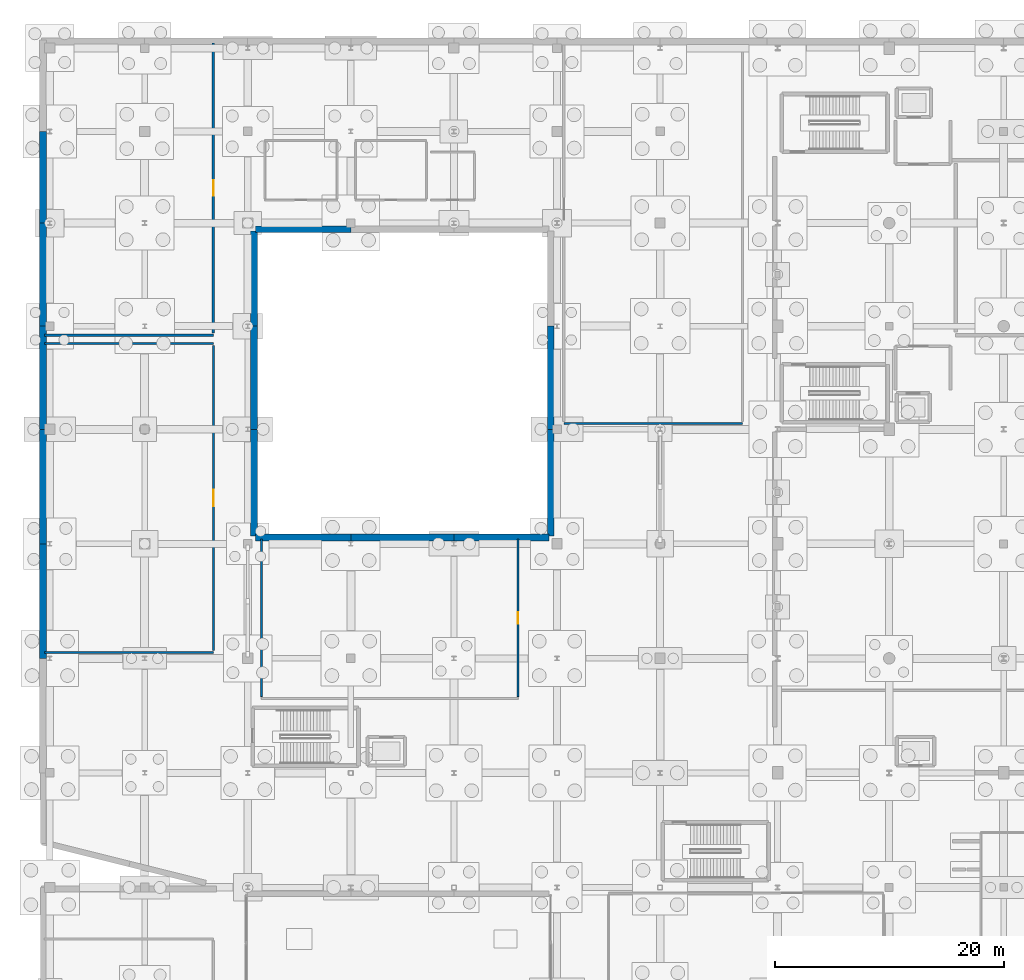
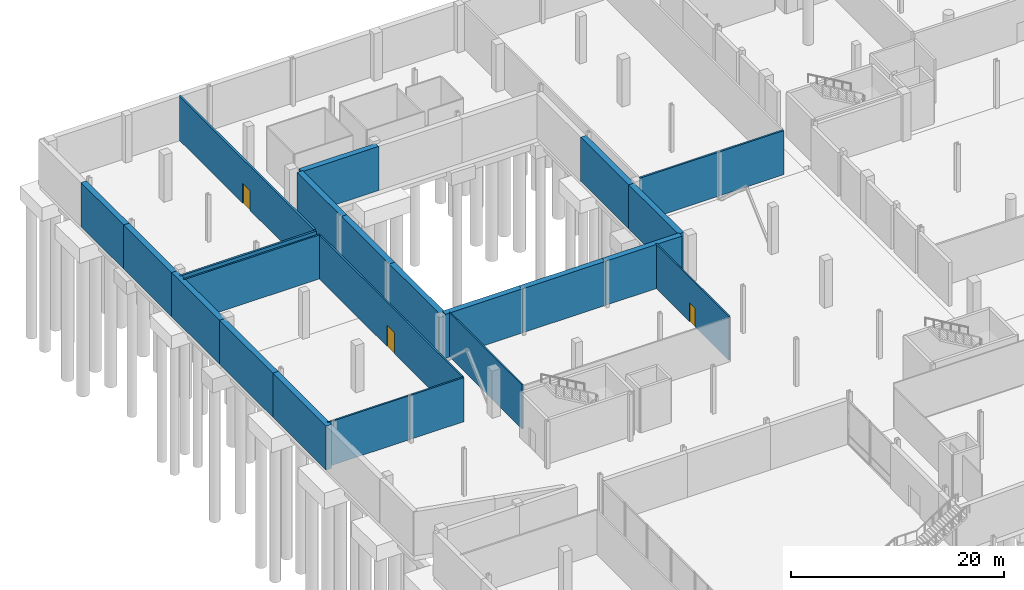
# One storey, part 45 of 60: 22 walls, 3 doors, 3 openings.
"""IFC4 building model written with IfcOpenShell, lengths in metres."""

import ifcopenshell
import ifcopenshell.guid

model = None  # the IFC model being written
_history = None  # IfcOwnerHistory: only IFC2X3 demands one
_inside = {}  # id of a spatial element -> (the spatial element, [elements in it])
_under = {}  # id of a project, library or spatial element -> (it, [spatial elements below it])
_declared = {}  # id of a project -> (the project, [libraries it declares])
_typed = {}  # id of a type object -> (the type object, [elements of that type])
_made_of = {}  # id of a material, layer set ... -> (it, [elements and type objects made of it])


def new_model(schema):
    """Start an empty IFC model of exactly this schema.

    Asked for "IFC4X3", IfcOpenShell would pick the latest addendum, in which some entities
    have other attributes; the version numbers below select the first issue.
    IFC2X3 requires an IfcOwnerHistory on every rooted entity: one is made here for all.
    """
    global model, _history
    if schema == "IFC4X3":
        model = ifcopenshell.file(schema_version=(4, 3, 0, 0))
    else:
        model = ifcopenshell.file(schema=schema)
    _inside.clear()
    _under.clear()
    _declared.clear()
    _typed.clear()
    _made_of.clear()
    _history = None
    if model.schema == "IFC2X3":
        org = make("IfcOrganization", Name="unknown")
        user = make(
            "IfcPersonAndOrganization",
            ThePerson=make("IfcPerson", FamilyName="unknown"),
            TheOrganization=org,
        )
        app = make(
            "IfcApplication",
            ApplicationDeveloper=org,
            Version="unknown",
            ApplicationFullName="unknown",
            ApplicationIdentifier="unknown",
        )
        _history = make(
            "IfcOwnerHistory",
            OwningUser=user,
            OwningApplication=app,
            ChangeAction="ADDED",
            CreationDate=0,
        )
    return model


def make(cls, **values):
    """One entity of the class cls with the attributes given. An attribute that is None is left unset."""
    return model.create_entity(
        cls, **{name: value for name, value in values.items() if value is not None}
    )


def rooted(cls, **values):
    """An entity with a GlobalId (a new one), such as an element, a storey or a relation."""
    return make(cls, GlobalId=ifcopenshell.guid.new(), OwnerHistory=_history, **values)


def si_unit(unit_type, name, prefix=None):
    """IfcSIUnit, for example si_unit("LENGTHUNIT", "METRE", prefix="MILLI")."""
    return make("IfcSIUnit", UnitType=unit_type, Prefix=prefix, Name=name)


def assignment(units):
    """IfcUnitAssignment: the units of a project."""
    return None if units is None else make("IfcUnitAssignment", Units=units)


def point(xyz):
    """IfcCartesianPoint."""
    return None if xyz is None else make("IfcCartesianPoint", Coordinates=xyz)


def direction(xyz):
    """IfcDirection."""
    return None if xyz is None else make("IfcDirection", DirectionRatios=xyz)


def frame(location, z_axis=None, x_axis=None):
    """IfcAxis2Placement3D, a coordinate frame: its origin and axes. An axis left out is left unset."""
    return make(
        "IfcAxis2Placement3D",
        Location=point(location),
        Axis=direction(z_axis),
        RefDirection=direction(x_axis),
    )


def frame_2d(location, x_axis=None):
    """IfcAxis2Placement2D, a coordinate frame in the plane: its origin and x axis."""
    return make(
        "IfcAxis2Placement2D", Location=point(location), RefDirection=direction(x_axis)
    )


def origin():
    """The frame at (0, 0, 0) with its axes left unset."""
    return frame((0.0, 0.0, 0.0))


def place(relative_to, where):
    """IfcLocalPlacement: puts the frame where relative to a parent placement (None: the world)."""
    return make(
        "IfcLocalPlacement", PlacementRelTo=relative_to, RelativePlacement=where
    )


def context(
    kind, dimensions, precision=None, world=None, true_north=None, identifier=None
):
    """IfcGeometricRepresentationContext, for example the 3D "Model" context."""
    return make(
        "IfcGeometricRepresentationContext",
        ContextIdentifier=identifier,
        ContextType=kind,
        CoordinateSpaceDimension=dimensions,
        Precision=precision,
        WorldCoordinateSystem=world,
        TrueNorth=true_north,
    )


def subcontext(parent, identifier, kind, view, scale=None):
    """IfcGeometricRepresentationSubContext, for example "Body" below "Model"."""
    return make(
        "IfcGeometricRepresentationSubContext",
        ContextIdentifier=identifier,
        ContextType=kind,
        ParentContext=parent,
        TargetScale=scale,
        TargetView=view,
    )


def project(units=None, contexts=None):
    """IfcProject with its units and contexts."""
    return rooted(
        "IfcProject",
        Name="project",
        RepresentationContexts=contexts,
        UnitsInContext=assignment(units),
    )


def spatial(cls, under=None, at=None, **own):
    """A site, building, storey or space (cls), placed at a placement, below another one or the project."""
    s = rooted(cls, ObjectPlacement=at, **own)
    if under is not None:
        _under.setdefault(under.id(), (under, []))[1].append(s)
    return s


def profile(cls, at=None, kind="AREA", **sizes):
    """A parametric profile (cls). Its sizes go by their IFC names, for example OverallWidth=200.0."""
    return make(cls, ProfileType=kind, Position=at, **sizes)


def rectangle(**sizes):
    """IfcRectangleProfileDef."""
    return profile("IfcRectangleProfileDef", **sizes)


def extrude(swept, where, along, depth):
    """IfcExtrudedAreaSolid: the profile swept, set in the frame where, extruded along a direction by depth."""
    return make(
        "IfcExtrudedAreaSolid",
        SweptArea=swept,
        Position=where,
        ExtrudedDirection=direction(along),
        Depth=depth,
    )


def shape(context_of_items, identifier, shape_type, items):
    """IfcShapeRepresentation: the items that make up one representation, for example the "Body"."""
    return make(
        "IfcShapeRepresentation",
        ContextOfItems=context_of_items,
        RepresentationIdentifier=identifier,
        RepresentationType=shape_type,
        Items=items,
    )


def material(Name=None, Category=None):
    """IfcMaterial."""
    return make("IfcMaterial", Name=Name, Category=Category)


def layer(
    of_material, thickness, ventilated=None, Name=None, Category=None, Priority=None
):
    """IfcMaterialLayer: one layer of a wall or slab, of a material (None: an air gap)."""
    return make(
        "IfcMaterialLayer",
        Material=of_material,
        LayerThickness=thickness,
        IsVentilated=ventilated,
        Name=Name,
        Category=Category,
        Priority=Priority,
    )


def layer_set(layers, Name=None):
    """IfcMaterialLayerSet."""
    return make("IfcMaterialLayerSet", MaterialLayers=layers, LayerSetName=Name)


def made_of(thing, what):
    """Note that an element or type object is made of a material, layer set ...; save() writes the relation."""
    if what is not None:
        _made_of.setdefault(what.id(), (what, []))[1].append(thing)
    return thing


def type_object(cls, material=None, **own):
    """A type object (cls), such as IfcWallType, which elements share."""
    return made_of(rooted(cls, **own), material)


def element(
    cls,
    number,
    at=None,
    inside=None,
    cuts=None,
    type_object=None,
    material=None,
    context=None,
    identifier="Body",
    shape_type=None,
    held_by="IfcProductDefinitionShape",
    body=None,
    shapes=None,
    **own,
):
    """One element of the class cls, such as IfcWall. Its Tag is "e" and its number.

    at: its placement. inside: the storey or other place that contains it. cuts: it is an
    opening in that element (IfcRelVoidsElement). A single representation is given by context,
    identifier, shape_type and body (its items); several are given by shapes. held_by: the class
    of the entity that holds the representations. save() writes the other relations.
    """
    e = rooted(cls, Tag="e%d" % number, ObjectPlacement=at, **own)
    if body is not None:
        shapes = [shape(context, identifier, shape_type, body)]
    if shapes is not None:
        e.Representation = make(held_by, Representations=shapes)
    if inside is not None:
        _inside.setdefault(inside.id(), (inside, []))[1].append(e)
    if cuts is not None:
        rooted(
            "IfcRelVoidsElement", RelatingBuildingElement=cuts, RelatedOpeningElement=e
        )
    if type_object is not None:
        _typed.setdefault(type_object.id(), (type_object, []))[1].append(e)
    return made_of(e, material)


def fill(opening, filler):
    """IfcRelFillsElement: the door or window that sits in an opening."""
    return rooted(
        "IfcRelFillsElement",
        RelatingOpeningElement=opening,
        RelatedBuildingElement=filler,
    )


def aggregate(whole, parts):
    """IfcRelAggregates: a whole, such as a stair, and the parts it consists of."""
    return rooted("IfcRelAggregates", RelatingObject=whole, RelatedObjects=parts)


def save(model, path):
    """Write the relations noted so far, then the file.

    IfcRelAggregates (storeys below a building ...), IfcRelContainedInSpatialStructure (elements
    in a storey), IfcRelDefinesByType, IfcRelAssociatesMaterial and IfcRelDeclares: one each for
    every whole, place, type object, material and project.
    """
    for whole, parts in _under.values():
        aggregate(whole, parts)
    for where, things in _inside.values():
        rooted(
            "IfcRelContainedInSpatialStructure",
            RelatedElements=things,
            RelatingStructure=where,
        )
    for kind, things in _typed.values():
        rooted("IfcRelDefinesByType", RelatedObjects=things, RelatingType=kind)
    for what, things in _made_of.values():
        rooted("IfcRelAssociatesMaterial", RelatedObjects=things, RelatingMaterial=what)
    for by, libraries in _declared.values():
        rooted("IfcRelDeclares", RelatingContext=by, RelatedDefinitions=libraries)
    model.write(path)


model = new_model("IFC4")

# Units and contexts
model_context = context("Model", 3, precision=1e-05, world=origin(), true_north=direction((0.0, 1.0)))
body_context = subcontext(model_context, "Body", "Model", "MODEL_VIEW")
ifc_project = project(units=[si_unit("LENGTHUNIT", "METRE"), si_unit("AREAUNIT", "SQUARE_METRE"), si_unit("VOLUMEUNIT", "CUBIC_METRE"), si_unit("PLANEANGLEUNIT", "RADIAN"), si_unit("MASSUNIT", "GRAM", prefix="KILO")], contexts=[model_context])

# Site, building, storey
site_placement = place(None, origin())
site = spatial("IfcSite", under=ifc_project, at=site_placement, CompositionType="ELEMENT")
building_placement = place(site_placement, origin())
building = spatial("IfcBuilding", under=site, at=building_placement, Name="Trimount Lyric Opera House", CompositionType="ELEMENT")
storey_placement = place(building_placement, frame((0.0, 0.0, -5.39990234375)))
storey = spatial("IfcBuildingStorey", under=building, at=storey_placement, Name="B1", CompositionType="ELEMENT", Elevation=-5.39990234375)

# Wall
ifc_material_1 = material(Name="Fire-Rated Gypsum Board Partition")
ifc_layer_1 = layer(ifc_material_1, 0.14990234375)
ifc_layer_set_1 = layer_set([ifc_layer_1], Name="WL-PT150")
wall_type_1 = type_object("IfcWallType", Name="WL-PT150", PredefinedType="PARTITIONING", material=ifc_layer_set_1)
wall_1_placement = place(storey_placement, frame((19.199951171875, 74.39990234375, 0.0), z_axis=(0.0, 0.0, 1.0), x_axis=(0.0, -1.0, 0.0)))
element("IfcWall", 1, at=wall_1_placement, inside=storey, type_object=wall_type_1, Name="B1 Musician Instrument Library W partition", PredefinedType="PARTITIONING", context=body_context, shape_type="SweptSolid", body=[
    extrude(rectangle(XDim=13.75, YDim=0.14990234375, at=frame_2d((6.875, 0.0))), origin(), (0.0, 0.0, 1.0), 5.0498046875),
])

# Wall, opening, door
wall_2_placement = place(storey_placement, frame((41.60009765625, 60.64990234375, 0.0), z_axis=(0.0, 0.0, 1.0), x_axis=(0.0, 1.0, 0.0)))
wall_2 = element("IfcWall", 2, at=wall_2_placement, inside=storey, type_object=wall_type_1, Name="B1 Musician Instrument Library E partition", PredefinedType="PARTITIONING", context=body_context, shape_type="SweptSolid", body=[
    extrude(rectangle(XDim=13.75, YDim=0.14990234375, at=frame_2d((6.875, 0.0))), origin(), (0.0, 0.0, 1.0), 5.0498046875),
])
opening_1_placement = place(wall_2_placement, frame((6.375, 0.0, 0.0)))
opening_1 = element("IfcOpeningElement", 3, at=opening_1_placement, cuts=wall_2, Name="Opening DT-RM1", PredefinedType="OPENING", context=body_context, shape_type="SweptSolid", body=[
    extrude(rectangle(XDim=1.0, YDim=2.14990234375, at=frame_2d((0.5, 1.074951171875))), frame((0.0, 0.0849609375, 0.0), z_axis=(0.0, -1.0, 0.0), x_axis=(1.0, 0.0, 0.0)), (0.0, 0.0, 1.0), 0.169921875),
])
ifc_material_2 = material(Name="Solid Core White Oak")
door_type_1 = type_object("IfcDoorType", Name="DT-RM1", OperationType="NOTDEFINED", PredefinedType="DOOR", material=ifc_material_2)
door_1_placement = place(opening_1_placement, origin())
door_1 = element("IfcDoor", 4, at=door_1_placement, inside=storey, type_object=door_type_1, Name="D-168", OperationType="SINGLE_SWING_RIGHT", OverallHeight=2.14990234375, OverallWidth=1.0, PredefinedType="DOOR", context=body_context, shape_type="SweptSolid", body=[
    extrude(rectangle(XDim=1.0, YDim=2.14990234375, at=frame_2d((0.5, 1.074951171875))), frame((0.0, 0.02490234375, 0.0), z_axis=(0.0, -1.0, 0.0), x_axis=(1.0, 0.0, 0.0)), (0.0, 0.0, 1.0), 0.050048828125),
])
fill(opening_1, door_1)

# Walls
ifc_material_3 = material(Name="Acoustic Double-Stud Gypsum Board")
ifc_layer_2 = layer(ifc_material_3, 0.179931640625)
ifc_layer_set_2 = layer_set([ifc_layer_2], Name="WL-PT180")
wall_type_2 = type_object("IfcWallType", Name="WL-PT180", PredefinedType="PARTITIONING", material=ifc_layer_set_2)
for number, where, z_axis, x_axis, name in (
    (5, (0.25, 64.5, 0.0), (0.0, 0.0, 1.0), (1.0, 0.0, 0.0), "B1 Percussion & Timpani Studio S partition"),
    (6, (15.0, 91.5, 0.0), (0.0, 0.0, 1.0), (-1.0, 0.0, 0.0), "B1 Percussion & Timpani Studio N partition"),
):
    element("IfcWall", number, at=place(storey_placement, frame(where, z_axis=z_axis, x_axis=x_axis)), inside=storey, type_object=wall_type_2, Name=name, PredefinedType="PARTITIONING", context=body_context, shape_type="SweptSolid", body=[
        extrude(rectangle(XDim=14.75, YDim=0.179931640625, at=frame_2d((7.375, 0.0))), origin(), (0.0, 0.0, 1.0), 5.0498046875),
    ])

# Wall, opening, door
wall_3_placement = place(storey_placement, frame((15.0, 64.679931640625, 0.0), z_axis=(0.0, 0.0, 1.0), x_axis=(0.0, 1.0, 0.0)))
wall_3 = element("IfcWall", 7, at=wall_3_placement, inside=storey, type_object=wall_type_2, Name="B1 Percussion & Timpani Studio E partition", PredefinedType="PARTITIONING", context=body_context, shape_type="SweptSolid", body=[
    extrude(rectangle(XDim=26.64013671875, YDim=0.179931640625, at=frame_2d((13.320068359375, 0.0))), origin(), (0.0, 0.0, 1.0), 5.0498046875),
])
opening_2_placement = place(wall_3_placement, frame((12.594970703125, 0.0, 0.0)))
opening_2 = element("IfcOpeningElement", 8, at=opening_2_placement, cuts=wall_3, Name="Opening DT-AC3", PredefinedType="OPENING", context=body_context, shape_type="SweptSolid", body=[
    extrude(rectangle(XDim=1.449951171875, YDim=2.39990234375, at=frame_2d((0.72509765625, 1.199951171875))), frame((0.0, 0.10009765625, 0.0), z_axis=(0.0, -1.0, 0.0), x_axis=(1.0, 0.0, 0.0)), (0.0, 0.0, 1.0), 0.199951171875),
])
ifc_material_4 = material(Name="Acoustic Steel-Core Timber", Category="steel")
door_type_2 = type_object("IfcDoorType", Name="DT-AC3", OperationType="DOUBLE_DOOR_SINGLE_SWING", PredefinedType="DOOR", material=ifc_material_4)
door_2_placement = place(opening_2_placement, origin())
door_2 = element("IfcDoor", 9, at=door_2_placement, inside=storey, type_object=door_type_2, Name="D-165", OperationType="DOUBLE_DOOR_SINGLE_SWING", OverallHeight=2.39990234375, OverallWidth=1.449951171875, PredefinedType="DOOR", context=body_context, shape_type="SweptSolid", body=[
    extrude(rectangle(XDim=1.449951171875, YDim=2.39990234375, at=frame_2d((0.72509765625, 1.199951171875))), frame((0.0, 0.02490234375, 0.0), z_axis=(0.0, -1.0, 0.0), x_axis=(1.0, 0.0, 0.0)), (0.0, 0.0, 1.0), 0.050048828125),
])
fill(opening_2, door_2)

# Walls
ifc_material_5 = material(Name="Concrete C40/50", Category="concrete")
ifc_layer_3 = layer(ifc_material_5, 0.60009765625)
ifc_layer_set_3 = layer_set([ifc_layer_3], Name="WL-RET600")
wall_type_3 = type_object("IfcWallType", Name="WL-RET600", PredefinedType="USERDEFINED", material=ifc_layer_set_3)
for number, where, z_axis, x_axis, name in (
    (10, (0.139892578125, 64.0, 0.0), (0.0, 0.0, 1.0), (0.0, 1.0, 0.0), "B1 exterior retaining wall 003"),
    (11, (0.139892578125, 74.0, 0.0), (0.0, 0.0, 1.0), (0.0, 1.0, 0.0), "B1 exterior retaining wall 004"),
):
    element("IfcWall", number, at=place(storey_placement, frame(where, z_axis=z_axis, x_axis=x_axis)), inside=storey, type_object=wall_type_3, Name=name, ObjectType="RETAININGWALL", PredefinedType="USERDEFINED", context=body_context, shape_type="SweptSolid", body=[
        extrude(rectangle(XDim=10.0, YDim=0.60009765625, at=frame_2d((5.0, 0.0))), origin(), (0.0, 0.0, 1.0), 5.0498046875),
    ])
for number, where, z_axis, x_axis, name in (
    (12, (0.139892578125, 84.0, 0.0), (0.0, 0.0, 1.0), (0.0, 1.0, 0.0), "B1 exterior retaining wall 005"),
    (13, (0.139892578125, 93.0, 0.0), (0.0, 0.0, 1.0), (0.0, 1.0, 0.0), "B1 exterior retaining wall 006"),
):
    element("IfcWall", number, at=place(storey_placement, frame(where, z_axis=z_axis, x_axis=x_axis)), inside=storey, type_object=wall_type_3, Name=name, ObjectType="RETAININGWALL", PredefinedType="USERDEFINED", context=body_context, shape_type="SweptSolid", body=[
        extrude(rectangle(XDim=9.0, YDim=0.60009765625, at=frame_2d((4.5, 0.0))), origin(), (0.0, 0.0, 1.0), 5.0498046875),
    ])
wall_4_placement = place(storey_placement, frame((0.139892578125, 102.0, 0.0), z_axis=(0.0, 0.0, 1.0), x_axis=(0.0, 1.0, 0.0)))
element("IfcWall", 14, at=wall_4_placement, inside=storey, type_object=wall_type_3, Name="B1 exterior retaining wall 007", ObjectType="RETAININGWALL", PredefinedType="USERDEFINED", context=body_context, shape_type="SweptSolid", body=[
    extrude(rectangle(XDim=8.0, YDim=0.60009765625, at=frame_2d((4.0, 0.0))), origin(), (0.0, 0.0, 1.0), 5.0498046875),
])
wall_5_placement = place(storey_placement, frame((18.679931640625, 74.5400390625, 0.0), z_axis=(0.0, 0.0, 1.0), x_axis=(1.0, 0.0, 0.0)))
element("IfcWall", 15, at=wall_5_placement, inside=storey, type_object=wall_type_3, Name="B1 exterior retaining wall 070", ObjectType="RETAININGWALL", PredefinedType="USERDEFINED", context=body_context, shape_type="SweptSolid", body=[
    extrude(rectangle(XDim=8.320068359375, YDim=0.60009765625, at=frame_2d((4.16015625, 0.0))), origin(), (0.0, 0.0, 1.0), 5.0498046875),
])
wall_6_placement = place(storey_placement, frame((27.0, 74.5400390625, 0.0), z_axis=(0.0, 0.0, 1.0), x_axis=(1.0, 0.0, 0.0)))
element("IfcWall", 16, at=wall_6_placement, inside=storey, type_object=wall_type_3, Name="B1 exterior retaining wall 071", ObjectType="RETAININGWALL", PredefinedType="USERDEFINED", context=body_context, shape_type="SweptSolid", body=[
    extrude(rectangle(XDim=9.0, YDim=0.60009765625, at=frame_2d((4.5, 0.0))), origin(), (0.0, 0.0, 1.0), 5.0498046875),
])
wall_7_placement = place(storey_placement, frame((36.0, 74.5400390625, 0.0), z_axis=(0.0, 0.0, 1.0), x_axis=(1.0, 0.0, 0.0)))
element("IfcWall", 17, at=wall_7_placement, inside=storey, type_object=wall_type_3, Name="B1 exterior retaining wall 072", ObjectType="RETAININGWALL", PredefinedType="USERDEFINED", context=body_context, shape_type="SweptSolid", body=[
    extrude(rectangle(XDim=8.320068359375, YDim=0.60009765625, at=frame_2d((4.16015625, 0.0))), origin(), (0.0, 0.0, 1.0), 5.0498046875),
])
wall_8_placement = place(storey_placement, frame((44.4599609375, 74.679931640625, 0.0), z_axis=(0.0, 0.0, 1.0), x_axis=(0.0, 1.0, 0.0)))
element("IfcWall", 18, at=wall_8_placement, inside=storey, type_object=wall_type_3, Name="B1 exterior retaining wall 073", ObjectType="RETAININGWALL", PredefinedType="USERDEFINED", context=body_context, shape_type="SweptSolid", body=[
    extrude(rectangle(XDim=9.320068359375, YDim=0.60009765625, at=frame_2d((4.66015625, 0.0))), origin(), (0.0, 0.0, 1.0), 5.0498046875),
])
wall_9_placement = place(storey_placement, frame((44.4599609375, 84.0, 0.0), z_axis=(0.0, 0.0, 1.0), x_axis=(0.0, 1.0, 0.0)))
element("IfcWall", 19, at=wall_9_placement, inside=storey, type_object=wall_type_3, Name="B1 exterior retaining wall 074", ObjectType="RETAININGWALL", PredefinedType="USERDEFINED", context=body_context, shape_type="SweptSolid", body=[
    extrude(rectangle(XDim=9.0, YDim=0.60009765625, at=frame_2d((4.5, 0.0))), origin(), (0.0, 0.0, 1.0), 5.0498046875),
])
for number, where, z_axis, x_axis, name in (
    (20, (27.0, 101.4599609375, 0.0), (0.0, 0.0, 1.0), (-1.0, 0.0, 0.0), "B1 exterior retaining wall 078"),
    (21, (18.5400390625, 101.320068359375, 0.0), (0.0, 0.0, 1.0), (0.0, -1.0, 0.0), "B1 exterior retaining wall 079"),
):
    element("IfcWall", number, at=place(storey_placement, frame(where, z_axis=z_axis, x_axis=x_axis)), inside=storey, type_object=wall_type_3, Name=name, ObjectType="RETAININGWALL", PredefinedType="USERDEFINED", context=body_context, shape_type="SweptSolid", body=[
        extrude(rectangle(XDim=8.320068359375, YDim=0.60009765625, at=frame_2d((4.16015625, 0.0))), origin(), (0.0, 0.0, 1.0), 5.0498046875),
    ])
wall_10_placement = place(storey_placement, frame((18.5400390625, 93.0, 0.0), z_axis=(0.0, 0.0, 1.0), x_axis=(0.0, -1.0, 0.0)))
element("IfcWall", 22, at=wall_10_placement, inside=storey, type_object=wall_type_3, Name="B1 exterior retaining wall 080", ObjectType="RETAININGWALL", PredefinedType="USERDEFINED", context=body_context, shape_type="SweptSolid", body=[
    extrude(rectangle(XDim=9.0, YDim=0.60009765625, at=frame_2d((4.5, 0.0))), origin(), (0.0, 0.0, 1.0), 5.0498046875),
])
wall_11_placement = place(storey_placement, frame((18.5400390625, 84.0, 0.0), z_axis=(0.0, 0.0, 1.0), x_axis=(0.0, -1.0, 0.0)))
element("IfcWall", 23, at=wall_11_placement, inside=storey, type_object=wall_type_3, Name="B1 exterior retaining wall 081", ObjectType="RETAININGWALL", PredefinedType="USERDEFINED", context=body_context, shape_type="SweptSolid", body=[
    extrude(rectangle(XDim=9.320068359375, YDim=0.60009765625, at=frame_2d((4.66015625, 0.0))), origin(), (0.0, 0.0, 1.0), 5.0498046875),
])
ifc_material_6 = material(Name="Concrete C35/45", Category="concrete")
ifc_layer_4 = layer(ifc_material_6, 0.199951171875)
ifc_layer_set_4 = layer_set([ifc_layer_4], Name="WL-SW200")
wall_type_4 = type_object("IfcWallType", Name="WL-SW200", PredefinedType="SOLIDWALL", material=ifc_layer_set_4)
wall_12_placement = place(storey_placement, frame((45.60009765625, 84.5, 0.0), z_axis=(0.0, 0.0, 1.0), x_axis=(1.0, 0.0, 0.0)))
element("IfcWall", 24, at=wall_12_placement, inside=storey, type_object=wall_type_4, Name="B1 Primary Electrical Substation S partition", PredefinedType="SOLIDWALL", context=body_context, shape_type="SweptSolid", body=[
    extrude(rectangle(XDim=15.599853515625, YDim=0.199951171875, at=frame_2d((7.7998046875, 0.0))), origin(), (0.0, 0.0, 1.0), 5.0498046875),
])
ifc_material_7 = material(Name="Concrete C35/45", Category="concrete")
ifc_layer_5 = layer(ifc_material_7, 0.219970703125)
ifc_layer_set_5 = layer_set([ifc_layer_5], Name="WL-SW220")
wall_type_5 = type_object("IfcWallType", Name="WL-SW220", PredefinedType="SOLIDWALL", material=ifc_layer_set_5)
wall_13_placement = place(storey_placement, frame((0.25, 92.199951171875, 0.0), z_axis=(0.0, 0.0, 1.0), x_axis=(1.0, 0.0, 0.0)))
element("IfcWall", 25, at=wall_13_placement, inside=storey, type_object=wall_type_5, Name="B1 Acoustic Chiller Plant S partition", PredefinedType="SOLIDWALL", context=body_context, shape_type="SweptSolid", body=[
    extrude(rectangle(XDim=14.75, YDim=0.219970703125, at=frame_2d((7.375, 0.0))), origin(), (0.0, 0.0, 1.0), 5.0498046875),
])

# Wall, opening, door
wall_14_placement = place(storey_placement, frame((15.0, 92.419921875, 0.0), z_axis=(0.0, 0.0, 1.0), x_axis=(0.0, 1.0, 0.0)))
wall_14 = element("IfcWall", 26, at=wall_14_placement, inside=storey, type_object=wall_type_5, Name="B1 Acoustic Chiller Plant E partition", PredefinedType="SOLIDWALL", context=body_context, shape_type="SweptSolid", body=[
    extrude(rectangle(XDim=25.300048828125, YDim=0.219970703125, at=frame_2d((12.64990234375, 0.0))), origin(), (0.0, 0.0, 1.0), 5.0498046875),
])
opening_3_placement = place(wall_14_placement, frame((11.97509765625, 0.0, 0.0)))
opening_3 = element("IfcOpeningElement", 27, at=opening_3_placement, cuts=wall_14, Name="Opening DT-PL3", PredefinedType="OPENING", context=body_context, shape_type="SweptSolid", body=[
    extrude(rectangle(XDim=1.35009765625, YDim=2.25, at=frame_2d((0.675048828125, 1.125))), frame((0.0, 0.1201171875, 0.0), z_axis=(0.0, -1.0, 0.0), x_axis=(1.0, 0.0, 0.0)), (0.0, 0.0, 1.0), 0.239990234375),
])
ifc_material_8 = material(Name="Fire-Rated Painted Steel", Category="steel")
door_type_3 = type_object("IfcDoorType", Name="DT-PL3", OperationType="DOUBLE_DOOR_SINGLE_SWING", PredefinedType="DOOR", material=ifc_material_8)
door_3_placement = place(opening_3_placement, origin())
door_3 = element("IfcDoor", 28, at=door_3_placement, inside=storey, type_object=door_type_3, Name="D-166", OperationType="DOUBLE_DOOR_SINGLE_SWING", OverallHeight=2.25, OverallWidth=1.35009765625, PredefinedType="DOOR", context=body_context, shape_type="SweptSolid", body=[
    extrude(rectangle(XDim=1.35009765625, YDim=2.25, at=frame_2d((0.675048828125, 1.125))), frame((0.0, 0.02490234375, 0.0), z_axis=(0.0, -1.0, 0.0), x_axis=(1.0, 0.0, 0.0)), (0.0, 0.0, 1.0), 0.050048828125),
])
fill(opening_3, door_3)

save(model, "model.ifc")
